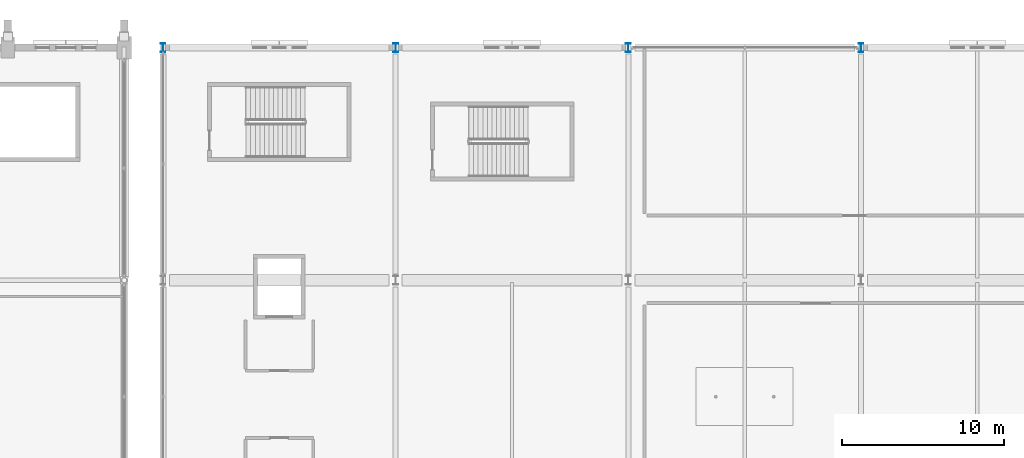
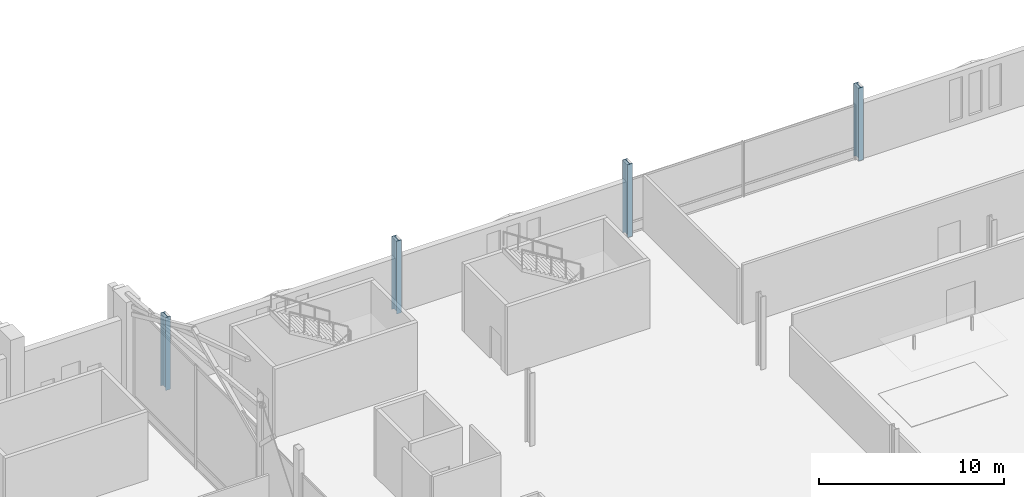
# One storey, part 22 of 220: 4 columns.
"""IFC4 building model written with IfcOpenShell, lengths in metres."""

from ifc_helpers import new_model, si_unit, direction, frame, origin, origin_2d, place, context, subcontext, project, spatial, i_section, extrude, material, material_profile, profile_set, type_object, element, save


model = new_model("IFC4")

# Units and contexts
model_context = context("Model", 3, precision=1e-05, world=origin(), true_north=direction((0.0, 1.0)))
body_context = subcontext(model_context, "Body", "Model", "MODEL_VIEW")
ifc_project = project(units=[si_unit("LENGTHUNIT", "METRE"), si_unit("AREAUNIT", "SQUARE_METRE"), si_unit("VOLUMEUNIT", "CUBIC_METRE"), si_unit("PLANEANGLEUNIT", "RADIAN"), si_unit("MASSUNIT", "GRAM", prefix="KILO")], contexts=[model_context])

# Site, building, storey
site_placement = place(None, origin())
site = spatial("IfcSite", under=ifc_project, at=site_placement, CompositionType="ELEMENT")
building_placement = place(site_placement, origin())
building = spatial("IfcBuilding", under=site, at=building_placement, Name="Cendralis Lancet Convention Centre", CompositionType="ELEMENT")
storey_placement = place(building_placement, frame((0.0, 0.0, 5.39990234375)))
storey = spatial("IfcBuildingStorey", under=building, at=storey_placement, Name="L01", CompositionType="ELEMENT", Elevation=5.39990234375)

# Columns
ifc_material = material(Name="Steel S355", Category="steel")
ifc_material_profile = material_profile(ifc_material, i_section(OverallWidth=0.300048828125, OverallDepth=0.550048828125, WebThickness=0.014892578125, FlangeThickness=0.029052734375, FilletRadius=0.027099609375, at=origin_2d()), Name="HEB 550")
ifc_profile_set = profile_set([ifc_material_profile], Name="Steel S355")
column_type = type_object("IfcColumnType", Name="STR-COL-C22", PredefinedType="COLUMN", material=ifc_profile_set)
for number, where, z_axis, x_axis, name in (
    (1, (124.800048828125, 136.800048828125, 0.0), (0.0, 0.0, 1.0), (1.0, 0.0, 0.0), "L01 Column C22 at 124.8,136.8"),
    (2, (139.199951171875, 136.800048828125, 0.0), (0.0, 0.0, 1.0), (1.0, 0.0, 0.0), "L01 Column C22 at 139.2,136.8"),
    (3, (153.60009765625, 136.800048828125, 0.0), (0.0, 0.0, 1.0), (1.0, 0.0, 0.0), "L01 Column C22 at 153.6,136.8"),
    (4, (168.0, 136.800048828125, 0.0), (0.0, 0.0, 1.0), (1.0, 0.0, 0.0), "L01 Column C22 at 168.0,136.8"),
):
    element("IfcColumn", number, at=place(storey_placement, frame(where, z_axis=z_axis, x_axis=x_axis)), inside=storey, type_object=column_type, Name=name, PredefinedType="COLUMN", context=body_context, shape_type="SweptSolid", body=[
        extrude(i_section(OverallWidth=0.300048828125, OverallDepth=0.550048828125, WebThickness=0.014892578125, FlangeThickness=0.029052734375, FilletRadius=0.027099609375, at=origin_2d()), origin(), (0.0, 0.0, 1.0), 4.800048828125),
    ])

save(model, "model.ifc")
